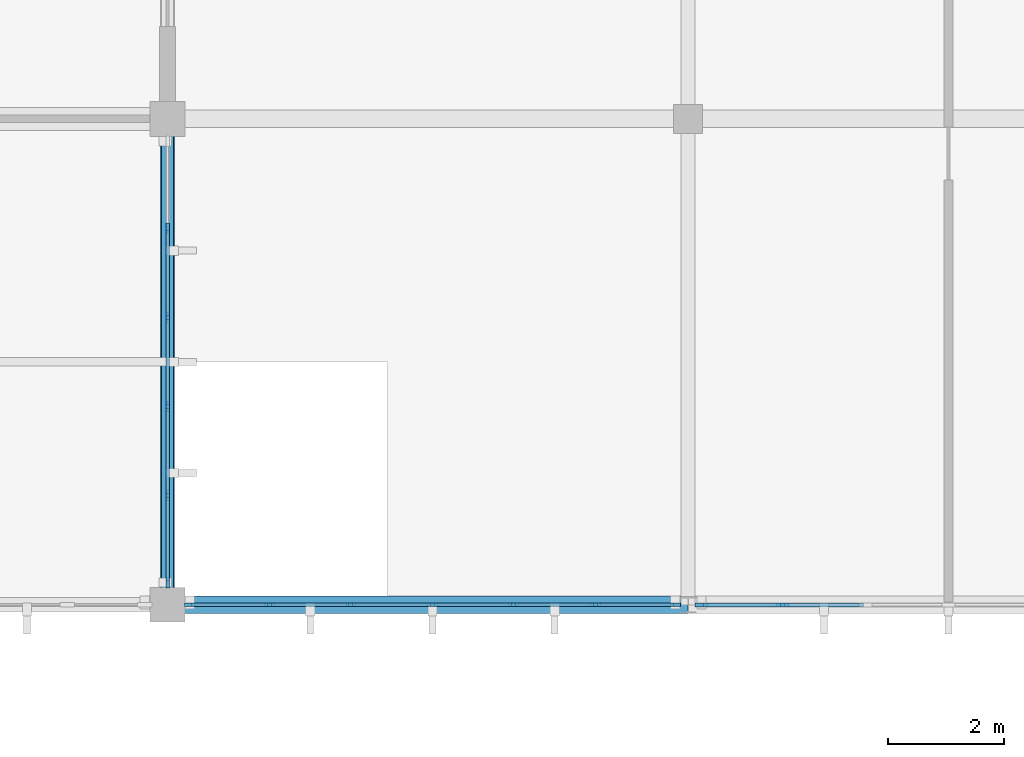
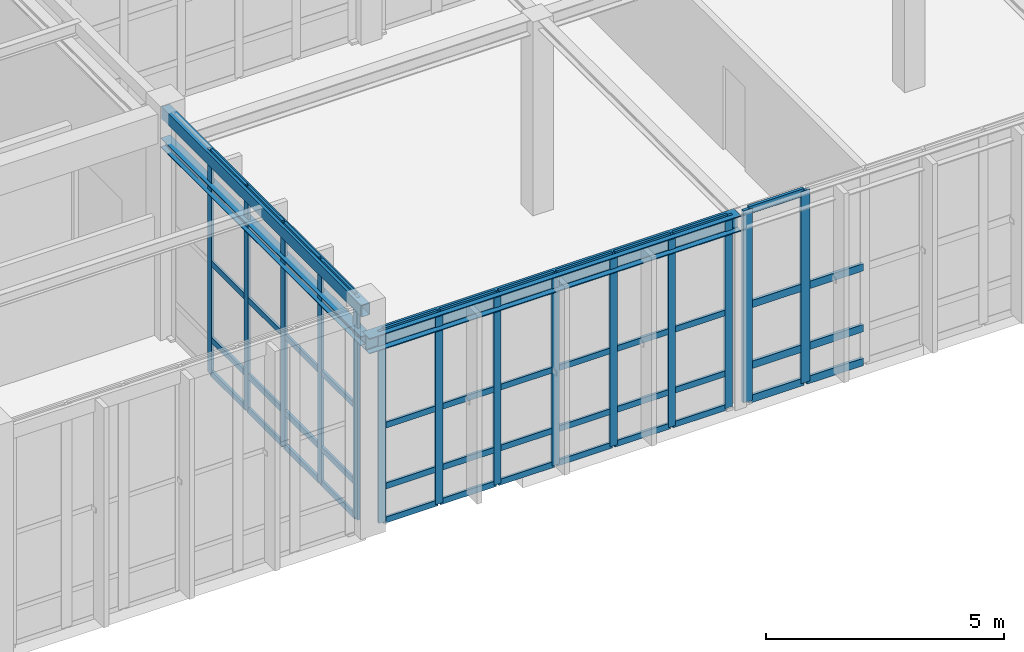
# One storey, part 28 of 110: 61 members, 3 beams, 3 elements without a shape of their own.
"""IFC4 building model written with IfcOpenShell, lengths in metres."""

from ifc_helpers import new_model, si_unit, direction, frame, origin, origin_2d, place, context, subcontext, project, spatial, rectangle, hollow_rectangle, i_section, extrude, material, material_profile, profile_set, type_object, element, aggregate, save


model = new_model("IFC4")

# Units and contexts
model_context = context("Model", 3, precision=1e-05, world=origin(), true_north=direction((0.0, 1.0)))
body_context = subcontext(model_context, "Body", "Model", "MODEL_VIEW")
ifc_project = project(units=[si_unit("LENGTHUNIT", "METRE"), si_unit("AREAUNIT", "SQUARE_METRE"), si_unit("VOLUMEUNIT", "CUBIC_METRE"), si_unit("PLANEANGLEUNIT", "RADIAN"), si_unit("MASSUNIT", "GRAM", prefix="KILO")], contexts=[model_context])

# Site, building, storey
site_placement = place(None, origin())
site = spatial("IfcSite", under=ifc_project, at=site_placement, CompositionType="ELEMENT")
building_placement = place(site_placement, origin())
building = spatial("IfcBuilding", under=site, at=building_placement, Name="Tizgana Railside Sports Hall", CompositionType="ELEMENT")
storey_placement = place(building_placement, origin())
storey = spatial("IfcBuildingStorey", under=building, at=storey_placement, Name="L00", CompositionType="ELEMENT", Elevation=0.0)

# Curtain wall, members
ifc_material_1 = material(Name="Anodised aluminium and glass", Category="aluminium")
curtain_wall_type_1 = type_object("IfcCurtainWallType", Name="Unitised Curtain Wall WestHall 1560", PredefinedType="NOTDEFINED", material=ifc_material_1)
curtain_wall_1_placement = place(storey_placement, origin())
curtain_wall_1 = element("IfcCurtainWall", 1, at=curtain_wall_1_placement, inside=storey, type_object=curtain_wall_type_1, Name="L00 Curtain Wall CW-0086", PredefinedType="NOTDEFINED")
ifc_material_2 = material(Name="Anodised aluminium", Category="aluminium")
ifc_material_profile_1 = material_profile(ifc_material_2, rectangle(XDim=0.06005859375, YDim=0.179931640625, at=origin_2d()), Name="Mullion 60x180")
ifc_profile_set_1 = profile_set([ifc_material_profile_1], Name="Anodised aluminium")
member_type_1 = type_object("IfcMemberType", Name="Mullion 60x180", PredefinedType="MULLION", material=ifc_profile_set_1)
member_1_placement = place(storey_placement, frame((97.800048828125, 6.507080078125, 0.044921875), z_axis=(0.0, 0.0, 1.0), x_axis=(1.0, 0.0, 0.0)))
member_1 = element("IfcMember", 2, at=member_1_placement, type_object=member_type_1, Name="CW-07 mullion 2", PredefinedType="MULLION", context=body_context, shape_type="SweptSolid", body=[
    extrude(rectangle(XDim=0.06005859375, YDim=0.179931640625, at=origin_2d()), origin(), (0.0, 0.0, 1.0), 5.705078125),
])
member_2_placement = place(storey_placement, frame((97.800048828125, 4.968994140625, 0.044921875), z_axis=(0.0, 0.0, 1.0), x_axis=(1.0, 0.0, 0.0)))
member_2 = element("IfcMember", 3, at=member_2_placement, type_object=member_type_1, Name="CW-07 mullion 3", PredefinedType="MULLION", context=body_context, shape_type="SweptSolid", body=[
    extrude(rectangle(XDim=0.06005859375, YDim=0.179931640625, at=origin_2d()), origin(), (0.0, 0.0, 1.0), 5.705078125),
])
member_3_placement = place(storey_placement, frame((97.800048828125, 3.430908203125, 0.044921875), z_axis=(0.0, 0.0, 1.0), x_axis=(1.0, 0.0, 0.0)))
member_3 = element("IfcMember", 4, at=member_3_placement, type_object=member_type_1, Name="CW-07 mullion 4", PredefinedType="MULLION", context=body_context, shape_type="SweptSolid", body=[
    extrude(rectangle(XDim=0.06005859375, YDim=0.179931640625, at=origin_2d()), origin(), (0.0, 0.0, 1.0), 5.705078125),
])
member_4_placement = place(storey_placement, frame((97.800048828125, 1.89306640625, 0.044921875), z_axis=(0.0, 0.0, 1.0), x_axis=(1.0, 0.0, 0.0)))
member_4 = element("IfcMember", 5, at=member_4_placement, type_object=member_type_1, Name="CW-07 mullion 5", PredefinedType="MULLION", context=body_context, shape_type="SweptSolid", body=[
    extrude(rectangle(XDim=0.06005859375, YDim=0.179931640625, at=origin_2d()), origin(), (0.0, 0.0, 1.0), 5.705078125),
])
member_5_placement = place(storey_placement, frame((97.800048828125, 0.385009765625, 0.044921875), z_axis=(0.0, 0.0, 1.0), x_axis=(1.0, 0.0, 0.0)))
member_5 = element("IfcMember", 6, at=member_5_placement, type_object=member_type_1, Name="CW-07 mullion 6", PredefinedType="MULLION", context=body_context, shape_type="SweptSolid", body=[
    extrude(rectangle(XDim=0.06005859375, YDim=0.179931640625, at=origin_2d()), origin(), (0.0, 0.0, 1.0), 5.705078125),
])

curtain_wall_type_2 = type_object("IfcCurtainWallType", Name="Unitised Curtain Wall Concourse 1500", PredefinedType="NOTDEFINED", material=ifc_material_1)
curtain_wall_2_placement = place(storey_placement, origin())
curtain_wall_2 = element("IfcCurtainWall", 7, at=curtain_wall_2_placement, inside=storey, type_object=curtain_wall_type_2, Name="L00 Curtain Wall CW-0152", PredefinedType="NOTDEFINED")
member_6_placement = place(storey_placement, frame((106.574951171875, 0.0, 0.044921875), z_axis=(0.0, 0.0, 1.0), x_axis=(0.0, -1.0, 0.0)))
member_6 = element("IfcMember", 8, at=member_6_placement, type_object=member_type_1, Name="CW-01 mullion 1", PredefinedType="MULLION", context=body_context, shape_type="SweptSolid", body=[
    extrude(rectangle(XDim=0.06005859375, YDim=0.179931640625, at=origin_2d()), origin(), (0.0, 0.0, 1.0), 4.9150390625),
])
member_7_placement = place(storey_placement, frame((105.19677734375, 0.0, 0.044921875), z_axis=(0.0, 0.0, 1.0), x_axis=(0.0, -1.0, 0.0)))
member_7 = element("IfcMember", 9, at=member_7_placement, type_object=member_type_1, Name="CW-01 mullion 2", PredefinedType="MULLION", context=body_context, shape_type="SweptSolid", body=[
    extrude(rectangle(XDim=0.06005859375, YDim=0.179931640625, at=origin_2d()), origin(), (0.0, 0.0, 1.0), 4.9150390625),
])
member_8_placement = place(storey_placement, frame((103.788330078125, 0.0, 0.044921875), z_axis=(0.0, 0.0, 1.0), x_axis=(0.0, -1.0, 0.0)))
member_8 = element("IfcMember", 10, at=member_8_placement, type_object=member_type_1, Name="CW-01 mullion 3", PredefinedType="MULLION", context=body_context, shape_type="SweptSolid", body=[
    extrude(rectangle(XDim=0.06005859375, YDim=0.179931640625, at=origin_2d()), origin(), (0.0, 0.0, 1.0), 4.9150390625),
])
member_9_placement = place(storey_placement, frame((102.3798828125, 0.0, 0.044921875), z_axis=(0.0, 0.0, 1.0), x_axis=(0.0, -1.0, 0.0)))
member_9 = element("IfcMember", 11, at=member_9_placement, type_object=member_type_1, Name="CW-01 mullion 4", PredefinedType="MULLION", context=body_context, shape_type="SweptSolid", body=[
    extrude(rectangle(XDim=0.06005859375, YDim=0.179931640625, at=origin_2d()), origin(), (0.0, 0.0, 1.0), 4.9150390625),
])
member_10_placement = place(storey_placement, frame((100.9716796875, 0.0, 0.044921875), z_axis=(0.0, 0.0, 1.0), x_axis=(0.0, -1.0, 0.0)))
member_10 = element("IfcMember", 12, at=member_10_placement, type_object=member_type_1, Name="CW-01 mullion 5", PredefinedType="MULLION", context=body_context, shape_type="SweptSolid", body=[
    extrude(rectangle(XDim=0.06005859375, YDim=0.179931640625, at=origin_2d()), origin(), (0.0, 0.0, 1.0), 4.9150390625),
])
member_11_placement = place(storey_placement, frame((99.563232421875, 0.0, 0.044921875), z_axis=(0.0, 0.0, 1.0), x_axis=(0.0, -1.0, 0.0)))
member_11 = element("IfcMember", 13, at=member_11_placement, type_object=member_type_1, Name="CW-01 mullion 6", PredefinedType="MULLION", context=body_context, shape_type="SweptSolid", body=[
    extrude(rectangle(XDim=0.06005859375, YDim=0.179931640625, at=origin_2d()), origin(), (0.0, 0.0, 1.0), 4.9150390625),
])
member_12_placement = place(storey_placement, frame((98.18505859375, 0.0, 0.044921875), z_axis=(0.0, 0.0, 1.0), x_axis=(0.0, -1.0, 0.0)))
member_12 = element("IfcMember", 14, at=member_12_placement, type_object=member_type_1, Name="CW-01 mullion 7", PredefinedType="MULLION", context=body_context, shape_type="SweptSolid", body=[
    extrude(rectangle(XDim=0.06005859375, YDim=0.179931640625, at=origin_2d()), origin(), (0.0, 0.0, 1.0), 4.9150390625),
])

curtain_wall_type_3 = type_object("IfcCurtainWallType", Name="Unitised Curtain Wall Studio 1400", PredefinedType="NOTDEFINED", material=ifc_material_1)
curtain_wall_3_placement = place(storey_placement, origin())
curtain_wall_3 = element("IfcCurtainWall", 15, at=curtain_wall_3_placement, inside=storey, type_object=curtain_wall_type_3, Name="L00 Curtain Wall CW-0154", PredefinedType="NOTDEFINED")
ifc_material_profile_2 = material_profile(ifc_material_2, rectangle(XDim=0.070068359375, YDim=0.219970703125, at=origin_2d()), Name="Mullion 70x220")
ifc_profile_set_2 = profile_set([ifc_material_profile_2], Name="Anodised aluminium")
member_type_2 = type_object("IfcMemberType", Name="Mullion 70x220", PredefinedType="MULLION", material=ifc_profile_set_2)
member_13_placement = place(storey_placement, frame((108.429931640625, 0.0, 0.044921875), z_axis=(0.0, 0.0, 1.0), x_axis=(0.0, -1.0, 0.0)))
member_13 = element("IfcMember", 16, at=member_13_placement, type_object=member_type_2, Name="CW-03 mullion 6", PredefinedType="MULLION", context=body_context, shape_type="SweptSolid", body=[
    extrude(rectangle(XDim=0.070068359375, YDim=0.219970703125, at=origin_2d()), origin(), (0.0, 0.0, 1.0), 4.9150390625),
])
member_14_placement = place(storey_placement, frame((107.030029296875, 0.0, 0.044921875), z_axis=(0.0, 0.0, 1.0), x_axis=(0.0, -1.0, 0.0)))
member_14 = element("IfcMember", 17, at=member_14_placement, type_object=member_type_2, Name="CW-03 mullion 7", PredefinedType="MULLION", context=body_context, shape_type="SweptSolid", body=[
    extrude(rectangle(XDim=0.070068359375, YDim=0.219970703125, at=origin_2d()), origin(), (0.0, 0.0, 1.0), 4.9150390625),
])

# Beams
ifc_material_3 = material(Name="Steel S355J2", Category="steel")
ifc_material_profile_3 = material_profile(ifc_material_3, i_section(OverallWidth=0.239990234375, OverallDepth=0.239990234375, WebThickness=0.010009765625, FlangeThickness=0.01708984375, FilletRadius=0.02099609375, at=origin_2d()), Name="HEB 240")
ifc_profile_set_3 = profile_set([ifc_material_profile_3], Name="Steel S355J2")
beam_type_1 = type_object("IfcBeamType", Name="Steel Beam HEB 240", PredefinedType="BEAM", material=ifc_profile_set_3)
beam_1_placement = place(storey_placement, frame((97.800048828125, 0.0, 4.8359375), z_axis=(0.0, 1.0, 0.0), x_axis=(-1.0, 0.0, 0.0)))
element("IfcBeam", 18, at=beam_1_placement, inside=storey, type_object=beam_type_1, Name="L00 BEM-1329", PredefinedType="BEAM", context=body_context, shape_type="SweptSolid", body=[
    extrude(i_section(OverallWidth=0.239990234375, OverallDepth=0.239990234375, WebThickness=0.010009765625, FlangeThickness=0.01708984375, FilletRadius=0.02099609375, at=origin_2d()), origin(), (0.0, 0.0, 1.0), 8.39990234375),
])
ifc_material_profile_4 = material_profile(ifc_material_3, i_section(OverallWidth=0.300048828125, OverallDepth=0.39990234375, WebThickness=0.013427734375, FlangeThickness=0.02392578125, FilletRadius=0.027099609375, at=origin_2d()), Name="HEB 400")
ifc_profile_set_4 = profile_set([ifc_material_profile_4], Name="Steel S355J2")
beam_type_2 = type_object("IfcBeamType", Name="Steel Beam HEB 400", PredefinedType="BEAM", material=ifc_profile_set_4)
beam_2_placement = place(storey_placement, frame((97.800048828125, 0.0, 4.756103515625), z_axis=(1.0, 0.0, 0.0), x_axis=(0.0, 1.0, 0.0)))
element("IfcBeam", 19, at=beam_2_placement, inside=storey, type_object=beam_type_2, Name="L00 BEM-1345", PredefinedType="BEAM", context=body_context, shape_type="SweptSolid", body=[
    extrude(i_section(OverallWidth=0.300048828125, OverallDepth=0.39990234375, WebThickness=0.013427734375, FlangeThickness=0.02392578125, FilletRadius=0.027099609375, at=origin_2d()), origin(), (0.0, 0.0, 1.0), 9.0),
])
ifc_material_profile_5 = material_profile(ifc_material_3, hollow_rectangle(XDim=0.199951171875, YDim=0.300048828125, WallThickness=0.010009765625, at=origin_2d()), Name="RHS 300x200x10")
ifc_profile_set_5 = profile_set([ifc_material_profile_5], Name="Steel S355J2")
beam_type_3 = type_object("IfcBeamType", Name="Steel Spandrel RHS 300x200x10", PredefinedType="SPANDREL", material=ifc_profile_set_5)
beam_3_placement = place(storey_placement, frame((97.800048828125, 0.0, 5.595947265625), z_axis=(0.0, 1.0, 0.0), x_axis=(-1.0, 0.0, 0.0)))
element("IfcBeam", 20, at=beam_3_placement, inside=storey, type_object=beam_type_3, Name="L00 BEM-0374", PredefinedType="SPANDREL", context=body_context, shape_type="SweptSolid", body=[
    extrude(hollow_rectangle(XDim=0.199951171875, YDim=0.300048828125, WallThickness=0.010009765625, at=origin_2d()), origin(), (0.0, 0.0, 1.0), 8.39990234375),
])

# Member
ifc_material_profile_6 = material_profile(ifc_material_2, rectangle(XDim=0.06005859375, YDim=0.14990234375, at=origin_2d()), Name="Transom 60x150")
ifc_profile_set_6 = profile_set([ifc_material_profile_6], Name="Anodised aluminium")
member_type_3 = type_object("IfcMemberType", Name="Transom 60x150", PredefinedType="USERDEFINED", material=ifc_profile_set_6)
member_15_placement = place(storey_placement, frame((97.800048828125, 6.47705078125, 0.074951171875), z_axis=(0.0, -1.0, 0.0), x_axis=(1.0, 0.0, 0.0)))
member_15 = element("IfcMember", 21, at=member_15_placement, type_object=member_type_3, Name="CW-07 transom 2.1", ObjectType="TRANSOM", PredefinedType="USERDEFINED", context=body_context, shape_type="SweptSolid", body=[
    extrude(rectangle(XDim=0.06005859375, YDim=0.14990234375, at=origin_2d()), origin(), (0.0, 0.0, 1.0), 1.47802734375),
])

member_16_placement = place(storey_placement, frame((97.800048828125, 6.47705078125, 0.945068359375), z_axis=(0.0, -1.0, 0.0), x_axis=(1.0, 0.0, 0.0)))
member_16 = element("IfcMember", 22, at=member_16_placement, type_object=member_type_3, Name="CW-07 transom 2.2", ObjectType="TRANSOM", PredefinedType="USERDEFINED", context=body_context, shape_type="SweptSolid", body=[
    extrude(rectangle(XDim=0.06005859375, YDim=0.14990234375, at=origin_2d()), origin(), (0.0, 0.0, 1.0), 1.47802734375),
])

member_17_placement = place(storey_placement, frame((97.800048828125, 6.47705078125, 2.8974609375), z_axis=(0.0, -1.0, 0.0), x_axis=(1.0, 0.0, 0.0)))
member_17 = element("IfcMember", 23, at=member_17_placement, type_object=member_type_3, Name="CW-07 transom 2.3", ObjectType="TRANSOM", PredefinedType="USERDEFINED", context=body_context, shape_type="SweptSolid", body=[
    extrude(rectangle(XDim=0.06005859375, YDim=0.14990234375, at=origin_2d()), origin(), (0.0, 0.0, 1.0), 1.47802734375),
])

member_18_placement = place(storey_placement, frame((97.800048828125, 6.47705078125, 5.719970703125), z_axis=(0.0, -1.0, 0.0), x_axis=(1.0, 0.0, 0.0)))
member_18 = element("IfcMember", 24, at=member_18_placement, type_object=member_type_3, Name="CW-07 transom 2.4", ObjectType="TRANSOM", PredefinedType="USERDEFINED", context=body_context, shape_type="SweptSolid", body=[
    extrude(rectangle(XDim=0.06005859375, YDim=0.14990234375, at=origin_2d()), origin(), (0.0, 0.0, 1.0), 1.47802734375),
])

member_19_placement = place(storey_placement, frame((97.800048828125, 4.93896484375, 0.074951171875), z_axis=(0.0, -1.0, 0.0), x_axis=(1.0, 0.0, 0.0)))
member_19 = element("IfcMember", 25, at=member_19_placement, type_object=member_type_3, Name="CW-07 transom 3.1", ObjectType="TRANSOM", PredefinedType="USERDEFINED", context=body_context, shape_type="SweptSolid", body=[
    extrude(rectangle(XDim=0.06005859375, YDim=0.14990234375, at=origin_2d()), origin(), (0.0, 0.0, 1.0), 1.47802734375),
])

member_20_placement = place(storey_placement, frame((97.800048828125, 4.93896484375, 0.945068359375), z_axis=(0.0, -1.0, 0.0), x_axis=(1.0, 0.0, 0.0)))
member_20 = element("IfcMember", 26, at=member_20_placement, type_object=member_type_3, Name="CW-07 transom 3.2", ObjectType="TRANSOM", PredefinedType="USERDEFINED", context=body_context, shape_type="SweptSolid", body=[
    extrude(rectangle(XDim=0.06005859375, YDim=0.14990234375, at=origin_2d()), origin(), (0.0, 0.0, 1.0), 1.47802734375),
])

member_21_placement = place(storey_placement, frame((97.800048828125, 4.93896484375, 2.8974609375), z_axis=(0.0, -1.0, 0.0), x_axis=(1.0, 0.0, 0.0)))
member_21 = element("IfcMember", 27, at=member_21_placement, type_object=member_type_3, Name="CW-07 transom 3.3", ObjectType="TRANSOM", PredefinedType="USERDEFINED", context=body_context, shape_type="SweptSolid", body=[
    extrude(rectangle(XDim=0.06005859375, YDim=0.14990234375, at=origin_2d()), origin(), (0.0, 0.0, 1.0), 1.47802734375),
])

member_22_placement = place(storey_placement, frame((97.800048828125, 4.93896484375, 5.719970703125), z_axis=(0.0, -1.0, 0.0), x_axis=(1.0, 0.0, 0.0)))
member_22 = element("IfcMember", 28, at=member_22_placement, type_object=member_type_3, Name="CW-07 transom 3.4", ObjectType="TRANSOM", PredefinedType="USERDEFINED", context=body_context, shape_type="SweptSolid", body=[
    extrude(rectangle(XDim=0.06005859375, YDim=0.14990234375, at=origin_2d()), origin(), (0.0, 0.0, 1.0), 1.47802734375),
])

member_23_placement = place(storey_placement, frame((97.800048828125, 3.40087890625, 0.074951171875), z_axis=(0.0, -1.0, 0.0), x_axis=(1.0, 0.0, 0.0)))
member_23 = element("IfcMember", 29, at=member_23_placement, type_object=member_type_3, Name="CW-07 transom 4.1", ObjectType="TRANSOM", PredefinedType="USERDEFINED", context=body_context, shape_type="SweptSolid", body=[
    extrude(rectangle(XDim=0.06005859375, YDim=0.14990234375, at=origin_2d()), origin(), (0.0, 0.0, 1.0), 1.477783203125),
])

member_24_placement = place(storey_placement, frame((97.800048828125, 3.40087890625, 0.945068359375), z_axis=(0.0, -1.0, 0.0), x_axis=(1.0, 0.0, 0.0)))
member_24 = element("IfcMember", 30, at=member_24_placement, type_object=member_type_3, Name="CW-07 transom 4.2", ObjectType="TRANSOM", PredefinedType="USERDEFINED", context=body_context, shape_type="SweptSolid", body=[
    extrude(rectangle(XDim=0.06005859375, YDim=0.14990234375, at=origin_2d()), origin(), (0.0, 0.0, 1.0), 1.477783203125),
])

member_25_placement = place(storey_placement, frame((97.800048828125, 3.40087890625, 2.8974609375), z_axis=(0.0, -1.0, 0.0), x_axis=(1.0, 0.0, 0.0)))
member_25 = element("IfcMember", 31, at=member_25_placement, type_object=member_type_3, Name="CW-07 transom 4.3", ObjectType="TRANSOM", PredefinedType="USERDEFINED", context=body_context, shape_type="SweptSolid", body=[
    extrude(rectangle(XDim=0.06005859375, YDim=0.14990234375, at=origin_2d()), origin(), (0.0, 0.0, 1.0), 1.477783203125),
])

member_26_placement = place(storey_placement, frame((97.800048828125, 3.40087890625, 5.719970703125), z_axis=(0.0, -1.0, 0.0), x_axis=(1.0, 0.0, 0.0)))
member_26 = element("IfcMember", 32, at=member_26_placement, type_object=member_type_3, Name="CW-07 transom 4.4", ObjectType="TRANSOM", PredefinedType="USERDEFINED", context=body_context, shape_type="SweptSolid", body=[
    extrude(rectangle(XDim=0.06005859375, YDim=0.14990234375, at=origin_2d()), origin(), (0.0, 0.0, 1.0), 1.477783203125),
])

member_27_placement = place(storey_placement, frame((97.800048828125, 1.863037109375, 0.074951171875), z_axis=(0.0, -1.0, 0.0), x_axis=(1.0, 0.0, 0.0)))
member_27 = element("IfcMember", 33, at=member_27_placement, type_object=member_type_3, Name="CW-07 transom 5.1", ObjectType="TRANSOM", PredefinedType="USERDEFINED", context=body_context, shape_type="SweptSolid", body=[
    extrude(rectangle(XDim=0.06005859375, YDim=0.14990234375, at=origin_2d()), origin(), (0.0, 0.0, 1.0), 1.447998046875),
])

member_28_placement = place(storey_placement, frame((97.800048828125, 1.863037109375, 0.945068359375), z_axis=(0.0, -1.0, 0.0), x_axis=(1.0, 0.0, 0.0)))
member_28 = element("IfcMember", 34, at=member_28_placement, type_object=member_type_3, Name="CW-07 transom 5.2", ObjectType="TRANSOM", PredefinedType="USERDEFINED", context=body_context, shape_type="SweptSolid", body=[
    extrude(rectangle(XDim=0.06005859375, YDim=0.14990234375, at=origin_2d()), origin(), (0.0, 0.0, 1.0), 1.447998046875),
])

member_29_placement = place(storey_placement, frame((97.800048828125, 1.863037109375, 2.8974609375), z_axis=(0.0, -1.0, 0.0), x_axis=(1.0, 0.0, 0.0)))
member_29 = element("IfcMember", 35, at=member_29_placement, type_object=member_type_3, Name="CW-07 transom 5.3", ObjectType="TRANSOM", PredefinedType="USERDEFINED", context=body_context, shape_type="SweptSolid", body=[
    extrude(rectangle(XDim=0.06005859375, YDim=0.14990234375, at=origin_2d()), origin(), (0.0, 0.0, 1.0), 1.447998046875),
])

member_30_placement = place(storey_placement, frame((97.800048828125, 1.863037109375, 5.719970703125), z_axis=(0.0, -1.0, 0.0), x_axis=(1.0, 0.0, 0.0)))
member_30 = element("IfcMember", 36, at=member_30_placement, type_object=member_type_3, Name="CW-07 transom 5.4", ObjectType="TRANSOM", PredefinedType="USERDEFINED", context=body_context, shape_type="SweptSolid", body=[
    extrude(rectangle(XDim=0.06005859375, YDim=0.14990234375, at=origin_2d()), origin(), (0.0, 0.0, 1.0), 1.447998046875),
])

aggregate(curtain_wall_1, [member_1, member_2, member_3, member_4, member_5, member_15, member_16, member_17, member_18, member_19, member_20, member_21, member_22, member_23, member_24, member_25, member_26, member_27, member_28, member_29, member_30])

member_31_placement = place(storey_placement, frame((106.544921875, 0.0, 0.074951171875), z_axis=(-1.0, 0.0, 0.0), x_axis=(0.0, -1.0, 0.0)))
member_31 = element("IfcMember", 37, at=member_31_placement, type_object=member_type_3, Name="CW-01 transom 1.1", ObjectType="TRANSOM", PredefinedType="USERDEFINED", context=body_context, shape_type="SweptSolid", body=[
    extrude(rectangle(XDim=0.06005859375, YDim=0.14990234375, at=origin_2d()), origin(), (0.0, 0.0, 1.0), 1.318359375),
])

member_32_placement = place(storey_placement, frame((106.544921875, 0.0, 0.945068359375), z_axis=(-1.0, 0.0, 0.0), x_axis=(0.0, -1.0, 0.0)))
member_32 = element("IfcMember", 38, at=member_32_placement, type_object=member_type_3, Name="CW-01 transom 1.2", ObjectType="TRANSOM", PredefinedType="USERDEFINED", context=body_context, shape_type="SweptSolid", body=[
    extrude(rectangle(XDim=0.06005859375, YDim=0.14990234375, at=origin_2d()), origin(), (0.0, 0.0, 1.0), 1.318359375),
])

member_33_placement = place(storey_placement, frame((106.544921875, 0.0, 2.50244140625), z_axis=(-1.0, 0.0, 0.0), x_axis=(0.0, -1.0, 0.0)))
member_33 = element("IfcMember", 39, at=member_33_placement, type_object=member_type_3, Name="CW-01 transom 1.3", ObjectType="TRANSOM", PredefinedType="USERDEFINED", context=body_context, shape_type="SweptSolid", body=[
    extrude(rectangle(XDim=0.06005859375, YDim=0.14990234375, at=origin_2d()), origin(), (0.0, 0.0, 1.0), 1.318359375),
])

member_34_placement = place(storey_placement, frame((106.544921875, 0.0, 4.929931640625), z_axis=(-1.0, 0.0, 0.0), x_axis=(0.0, -1.0, 0.0)))
member_34 = element("IfcMember", 40, at=member_34_placement, type_object=member_type_3, Name="CW-01 transom 1.4", ObjectType="TRANSOM", PredefinedType="USERDEFINED", context=body_context, shape_type="SweptSolid", body=[
    extrude(rectangle(XDim=0.06005859375, YDim=0.14990234375, at=origin_2d()), origin(), (0.0, 0.0, 1.0), 1.318359375),
])

member_35_placement = place(storey_placement, frame((105.166748046875, 0.0, 0.074951171875), z_axis=(-1.0, 0.0, 0.0), x_axis=(0.0, -1.0, 0.0)))
member_35 = element("IfcMember", 41, at=member_35_placement, type_object=member_type_3, Name="CW-01 transom 2.1", ObjectType="TRANSOM", PredefinedType="USERDEFINED", context=body_context, shape_type="SweptSolid", body=[
    extrude(rectangle(XDim=0.06005859375, YDim=0.14990234375, at=origin_2d()), origin(), (0.0, 0.0, 1.0), 1.348388671875),
])

member_36_placement = place(storey_placement, frame((105.166748046875, 0.0, 0.945068359375), z_axis=(-1.0, 0.0, 0.0), x_axis=(0.0, -1.0, 0.0)))
member_36 = element("IfcMember", 42, at=member_36_placement, type_object=member_type_3, Name="CW-01 transom 2.2", ObjectType="TRANSOM", PredefinedType="USERDEFINED", context=body_context, shape_type="SweptSolid", body=[
    extrude(rectangle(XDim=0.06005859375, YDim=0.14990234375, at=origin_2d()), origin(), (0.0, 0.0, 1.0), 1.348388671875),
])

member_37_placement = place(storey_placement, frame((105.166748046875, 0.0, 2.50244140625), z_axis=(-1.0, 0.0, 0.0), x_axis=(0.0, -1.0, 0.0)))
member_37 = element("IfcMember", 43, at=member_37_placement, type_object=member_type_3, Name="CW-01 transom 2.3", ObjectType="TRANSOM", PredefinedType="USERDEFINED", context=body_context, shape_type="SweptSolid", body=[
    extrude(rectangle(XDim=0.06005859375, YDim=0.14990234375, at=origin_2d()), origin(), (0.0, 0.0, 1.0), 1.348388671875),
])

member_38_placement = place(storey_placement, frame((105.166748046875, 0.0, 4.929931640625), z_axis=(-1.0, 0.0, 0.0), x_axis=(0.0, -1.0, 0.0)))
member_38 = element("IfcMember", 44, at=member_38_placement, type_object=member_type_3, Name="CW-01 transom 2.4", ObjectType="TRANSOM", PredefinedType="USERDEFINED", context=body_context, shape_type="SweptSolid", body=[
    extrude(rectangle(XDim=0.06005859375, YDim=0.14990234375, at=origin_2d()), origin(), (0.0, 0.0, 1.0), 1.348388671875),
])

member_39_placement = place(storey_placement, frame((103.75830078125, 0.0, 0.074951171875), z_axis=(-1.0, 0.0, 0.0), x_axis=(0.0, -1.0, 0.0)))
member_39 = element("IfcMember", 45, at=member_39_placement, type_object=member_type_3, Name="CW-01 transom 3.1", ObjectType="TRANSOM", PredefinedType="USERDEFINED", context=body_context, shape_type="SweptSolid", body=[
    extrude(rectangle(XDim=0.06005859375, YDim=0.14990234375, at=origin_2d()), origin(), (0.0, 0.0, 1.0), 1.348388671875),
])

member_40_placement = place(storey_placement, frame((103.75830078125, 0.0, 0.945068359375), z_axis=(-1.0, 0.0, 0.0), x_axis=(0.0, -1.0, 0.0)))
member_40 = element("IfcMember", 46, at=member_40_placement, type_object=member_type_3, Name="CW-01 transom 3.2", ObjectType="TRANSOM", PredefinedType="USERDEFINED", context=body_context, shape_type="SweptSolid", body=[
    extrude(rectangle(XDim=0.06005859375, YDim=0.14990234375, at=origin_2d()), origin(), (0.0, 0.0, 1.0), 1.348388671875),
])

member_41_placement = place(storey_placement, frame((103.75830078125, 0.0, 2.50244140625), z_axis=(-1.0, 0.0, 0.0), x_axis=(0.0, -1.0, 0.0)))
member_41 = element("IfcMember", 47, at=member_41_placement, type_object=member_type_3, Name="CW-01 transom 3.3", ObjectType="TRANSOM", PredefinedType="USERDEFINED", context=body_context, shape_type="SweptSolid", body=[
    extrude(rectangle(XDim=0.06005859375, YDim=0.14990234375, at=origin_2d()), origin(), (0.0, 0.0, 1.0), 1.348388671875),
])

member_42_placement = place(storey_placement, frame((103.75830078125, 0.0, 4.929931640625), z_axis=(-1.0, 0.0, 0.0), x_axis=(0.0, -1.0, 0.0)))
member_42 = element("IfcMember", 48, at=member_42_placement, type_object=member_type_3, Name="CW-01 transom 3.4", ObjectType="TRANSOM", PredefinedType="USERDEFINED", context=body_context, shape_type="SweptSolid", body=[
    extrude(rectangle(XDim=0.06005859375, YDim=0.14990234375, at=origin_2d()), origin(), (0.0, 0.0, 1.0), 1.348388671875),
])

member_43_placement = place(storey_placement, frame((102.35009765625, 0.0, 0.074951171875), z_axis=(-1.0, 0.0, 0.0), x_axis=(0.0, -1.0, 0.0)))
member_43 = element("IfcMember", 49, at=member_43_placement, type_object=member_type_3, Name="CW-01 transom 4.1", ObjectType="TRANSOM", PredefinedType="USERDEFINED", context=body_context, shape_type="SweptSolid", body=[
    extrude(rectangle(XDim=0.06005859375, YDim=0.14990234375, at=origin_2d()), origin(), (0.0, 0.0, 1.0), 1.348388671875),
])

member_44_placement = place(storey_placement, frame((102.35009765625, 0.0, 0.945068359375), z_axis=(-1.0, 0.0, 0.0), x_axis=(0.0, -1.0, 0.0)))
member_44 = element("IfcMember", 50, at=member_44_placement, type_object=member_type_3, Name="CW-01 transom 4.2", ObjectType="TRANSOM", PredefinedType="USERDEFINED", context=body_context, shape_type="SweptSolid", body=[
    extrude(rectangle(XDim=0.06005859375, YDim=0.14990234375, at=origin_2d()), origin(), (0.0, 0.0, 1.0), 1.348388671875),
])

member_45_placement = place(storey_placement, frame((102.35009765625, 0.0, 2.50244140625), z_axis=(-1.0, 0.0, 0.0), x_axis=(0.0, -1.0, 0.0)))
member_45 = element("IfcMember", 51, at=member_45_placement, type_object=member_type_3, Name="CW-01 transom 4.3", ObjectType="TRANSOM", PredefinedType="USERDEFINED", context=body_context, shape_type="SweptSolid", body=[
    extrude(rectangle(XDim=0.06005859375, YDim=0.14990234375, at=origin_2d()), origin(), (0.0, 0.0, 1.0), 1.348388671875),
])

member_46_placement = place(storey_placement, frame((102.35009765625, 0.0, 4.929931640625), z_axis=(-1.0, 0.0, 0.0), x_axis=(0.0, -1.0, 0.0)))
member_46 = element("IfcMember", 52, at=member_46_placement, type_object=member_type_3, Name="CW-01 transom 4.4", ObjectType="TRANSOM", PredefinedType="USERDEFINED", context=body_context, shape_type="SweptSolid", body=[
    extrude(rectangle(XDim=0.06005859375, YDim=0.14990234375, at=origin_2d()), origin(), (0.0, 0.0, 1.0), 1.348388671875),
])

member_47_placement = place(storey_placement, frame((100.941650390625, 0.0, 0.074951171875), z_axis=(-1.0, 0.0, 0.0), x_axis=(0.0, -1.0, 0.0)))
member_47 = element("IfcMember", 53, at=member_47_placement, type_object=member_type_3, Name="CW-01 transom 5.1", ObjectType="TRANSOM", PredefinedType="USERDEFINED", context=body_context, shape_type="SweptSolid", body=[
    extrude(rectangle(XDim=0.06005859375, YDim=0.14990234375, at=origin_2d()), origin(), (0.0, 0.0, 1.0), 1.348388671875),
])

member_48_placement = place(storey_placement, frame((100.941650390625, 0.0, 0.945068359375), z_axis=(-1.0, 0.0, 0.0), x_axis=(0.0, -1.0, 0.0)))
member_48 = element("IfcMember", 54, at=member_48_placement, type_object=member_type_3, Name="CW-01 transom 5.2", ObjectType="TRANSOM", PredefinedType="USERDEFINED", context=body_context, shape_type="SweptSolid", body=[
    extrude(rectangle(XDim=0.06005859375, YDim=0.14990234375, at=origin_2d()), origin(), (0.0, 0.0, 1.0), 1.348388671875),
])

member_49_placement = place(storey_placement, frame((100.941650390625, 0.0, 2.50244140625), z_axis=(-1.0, 0.0, 0.0), x_axis=(0.0, -1.0, 0.0)))
member_49 = element("IfcMember", 55, at=member_49_placement, type_object=member_type_3, Name="CW-01 transom 5.3", ObjectType="TRANSOM", PredefinedType="USERDEFINED", context=body_context, shape_type="SweptSolid", body=[
    extrude(rectangle(XDim=0.06005859375, YDim=0.14990234375, at=origin_2d()), origin(), (0.0, 0.0, 1.0), 1.348388671875),
])

member_50_placement = place(storey_placement, frame((100.941650390625, 0.0, 4.929931640625), z_axis=(-1.0, 0.0, 0.0), x_axis=(0.0, -1.0, 0.0)))
member_50 = element("IfcMember", 56, at=member_50_placement, type_object=member_type_3, Name="CW-01 transom 5.4", ObjectType="TRANSOM", PredefinedType="USERDEFINED", context=body_context, shape_type="SweptSolid", body=[
    extrude(rectangle(XDim=0.06005859375, YDim=0.14990234375, at=origin_2d()), origin(), (0.0, 0.0, 1.0), 1.348388671875),
])

member_51_placement = place(storey_placement, frame((99.533447265625, 0.0, 0.074951171875), z_axis=(-1.0, 0.0, 0.0), x_axis=(0.0, -1.0, 0.0)))
member_51 = element("IfcMember", 57, at=member_51_placement, type_object=member_type_3, Name="CW-01 transom 6.1", ObjectType="TRANSOM", PredefinedType="USERDEFINED", context=body_context, shape_type="SweptSolid", body=[
    extrude(rectangle(XDim=0.06005859375, YDim=0.14990234375, at=origin_2d()), origin(), (0.0, 0.0, 1.0), 1.318359375),
])

member_52_placement = place(storey_placement, frame((99.533447265625, 0.0, 0.945068359375), z_axis=(-1.0, 0.0, 0.0), x_axis=(0.0, -1.0, 0.0)))
member_52 = element("IfcMember", 58, at=member_52_placement, type_object=member_type_3, Name="CW-01 transom 6.2", ObjectType="TRANSOM", PredefinedType="USERDEFINED", context=body_context, shape_type="SweptSolid", body=[
    extrude(rectangle(XDim=0.06005859375, YDim=0.14990234375, at=origin_2d()), origin(), (0.0, 0.0, 1.0), 1.318359375),
])

member_53_placement = place(storey_placement, frame((99.533447265625, 0.0, 2.50244140625), z_axis=(-1.0, 0.0, 0.0), x_axis=(0.0, -1.0, 0.0)))
member_53 = element("IfcMember", 59, at=member_53_placement, type_object=member_type_3, Name="CW-01 transom 6.3", ObjectType="TRANSOM", PredefinedType="USERDEFINED", context=body_context, shape_type="SweptSolid", body=[
    extrude(rectangle(XDim=0.06005859375, YDim=0.14990234375, at=origin_2d()), origin(), (0.0, 0.0, 1.0), 1.318359375),
])

member_54_placement = place(storey_placement, frame((99.533447265625, 0.0, 4.929931640625), z_axis=(-1.0, 0.0, 0.0), x_axis=(0.0, -1.0, 0.0)))
member_54 = element("IfcMember", 60, at=member_54_placement, type_object=member_type_3, Name="CW-01 transom 6.4", ObjectType="TRANSOM", PredefinedType="USERDEFINED", context=body_context, shape_type="SweptSolid", body=[
    extrude(rectangle(XDim=0.06005859375, YDim=0.14990234375, at=origin_2d()), origin(), (0.0, 0.0, 1.0), 1.318359375),
])

aggregate(curtain_wall_2, [member_6, member_7, member_8, member_9, member_10, member_11, member_12, member_31, member_32, member_33, member_34, member_35, member_36, member_37, member_38, member_39, member_40, member_41, member_42, member_43, member_44, member_45, member_46, member_47, member_48, member_49, member_50, member_51, member_52, member_53, member_54])

ifc_material_profile_7 = material_profile(ifc_material_2, rectangle(XDim=0.070068359375, YDim=0.18994140625, at=origin_2d()), Name="Transom 70x190")
ifc_profile_set_7 = profile_set([ifc_material_profile_7], Name="Anodised aluminium")
member_type_4 = type_object("IfcMemberType", Name="Transom 70x190", PredefinedType="USERDEFINED", material=ifc_profile_set_7)
member_55_placement = place(storey_placement, frame((109.830078125, 0.0, 0.080078125), z_axis=(-1.0, 0.0, 0.0), x_axis=(0.0, -1.0, 0.0)))
member_55 = element("IfcMember", 61, at=member_55_placement, type_object=member_type_4, Name="CW-03 transom 5.1", ObjectType="TRANSOM", PredefinedType="USERDEFINED", context=body_context, shape_type="SweptSolid", body=[
    extrude(rectangle(XDim=0.070068359375, YDim=0.18994140625, at=origin_2d()), origin(), (0.0, 0.0, 1.0), 1.364990234375),
])

member_56_placement = place(storey_placement, frame((109.830078125, 0.0, 0.945068359375), z_axis=(-1.0, 0.0, 0.0), x_axis=(0.0, -1.0, 0.0)))
member_56 = element("IfcMember", 62, at=member_56_placement, type_object=member_type_4, Name="CW-03 transom 5.2", ObjectType="TRANSOM", PredefinedType="USERDEFINED", context=body_context, shape_type="SweptSolid", body=[
    extrude(rectangle(XDim=0.070068359375, YDim=0.18994140625, at=origin_2d()), origin(), (0.0, 0.0, 1.0), 1.364990234375),
])

member_57_placement = place(storey_placement, frame((109.830078125, 0.0, 2.50244140625), z_axis=(-1.0, 0.0, 0.0), x_axis=(0.0, -1.0, 0.0)))
member_57 = element("IfcMember", 63, at=member_57_placement, type_object=member_type_4, Name="CW-03 transom 5.3", ObjectType="TRANSOM", PredefinedType="USERDEFINED", context=body_context, shape_type="SweptSolid", body=[
    extrude(rectangle(XDim=0.070068359375, YDim=0.18994140625, at=origin_2d()), origin(), (0.0, 0.0, 1.0), 1.364990234375),
])

member_58_placement = place(storey_placement, frame((108.39501953125, 0.0, 0.080078125), z_axis=(-1.0, 0.0, 0.0), x_axis=(0.0, -1.0, 0.0)))
member_58 = element("IfcMember", 64, at=member_58_placement, type_object=member_type_4, Name="CW-03 transom 6.1", ObjectType="TRANSOM", PredefinedType="USERDEFINED", context=body_context, shape_type="SweptSolid", body=[
    extrude(rectangle(XDim=0.070068359375, YDim=0.18994140625, at=origin_2d()), origin(), (0.0, 0.0, 1.0), 1.330078125),
])

member_59_placement = place(storey_placement, frame((108.39501953125, 0.0, 0.945068359375), z_axis=(-1.0, 0.0, 0.0), x_axis=(0.0, -1.0, 0.0)))
member_59 = element("IfcMember", 65, at=member_59_placement, type_object=member_type_4, Name="CW-03 transom 6.2", ObjectType="TRANSOM", PredefinedType="USERDEFINED", context=body_context, shape_type="SweptSolid", body=[
    extrude(rectangle(XDim=0.070068359375, YDim=0.18994140625, at=origin_2d()), origin(), (0.0, 0.0, 1.0), 1.330078125),
])

member_60_placement = place(storey_placement, frame((108.39501953125, 0.0, 2.50244140625), z_axis=(-1.0, 0.0, 0.0), x_axis=(0.0, -1.0, 0.0)))
member_60 = element("IfcMember", 66, at=member_60_placement, type_object=member_type_4, Name="CW-03 transom 6.3", ObjectType="TRANSOM", PredefinedType="USERDEFINED", context=body_context, shape_type="SweptSolid", body=[
    extrude(rectangle(XDim=0.070068359375, YDim=0.18994140625, at=origin_2d()), origin(), (0.0, 0.0, 1.0), 1.330078125),
])

member_61_placement = place(storey_placement, frame((108.39501953125, 0.0, 4.925048828125), z_axis=(-1.0, 0.0, 0.0), x_axis=(0.0, -1.0, 0.0)))
member_61 = element("IfcMember", 67, at=member_61_placement, type_object=member_type_4, Name="CW-03 transom 6.4", ObjectType="TRANSOM", PredefinedType="USERDEFINED", context=body_context, shape_type="SweptSolid", body=[
    extrude(rectangle(XDim=0.070068359375, YDim=0.18994140625, at=origin_2d()), origin(), (0.0, 0.0, 1.0), 1.330078125),
])

aggregate(curtain_wall_3, [member_13, member_14, member_55, member_56, member_57, member_58, member_59, member_60, member_61])

save(model, "model.ifc")
